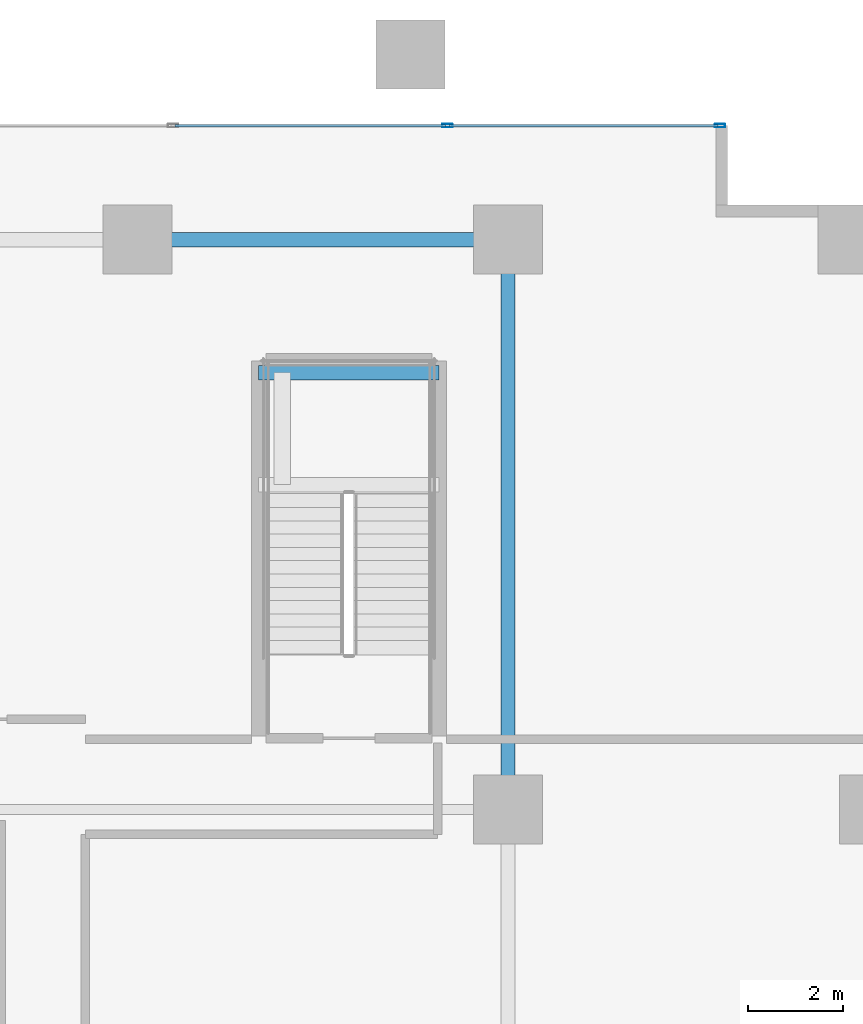
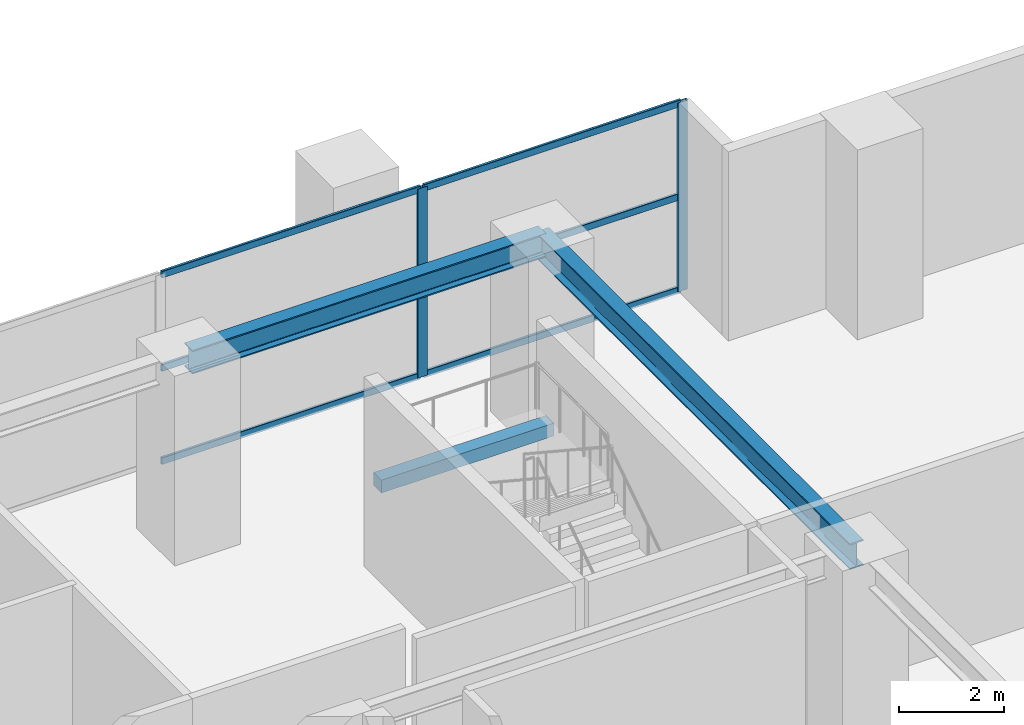
# One storey, part 11 of 20: 8 members, 3 beams, 1 element without a shape of its own.
"""IFC4 building model written with IfcOpenShell, lengths in metres."""

import ifcopenshell
import ifcopenshell.guid

model = None  # the IFC model being written
_history = None  # IfcOwnerHistory: only IFC2X3 demands one
_inside = {}  # id of a spatial element -> (the spatial element, [elements in it])
_under = {}  # id of a project, library or spatial element -> (it, [spatial elements below it])
_declared = {}  # id of a project -> (the project, [libraries it declares])
_typed = {}  # id of a type object -> (the type object, [elements of that type])
_made_of = {}  # id of a material, layer set ... -> (it, [elements and type objects made of it])


def new_model(schema):
    """Start an empty IFC model of exactly this schema.

    Asked for "IFC4X3", IfcOpenShell would pick the latest addendum, in which some entities
    have other attributes; the version numbers below select the first issue.
    IFC2X3 requires an IfcOwnerHistory on every rooted entity: one is made here for all.
    """
    global model, _history
    if schema == "IFC4X3":
        model = ifcopenshell.file(schema_version=(4, 3, 0, 0))
    else:
        model = ifcopenshell.file(schema=schema)
    _inside.clear()
    _under.clear()
    _declared.clear()
    _typed.clear()
    _made_of.clear()
    _history = None
    if model.schema == "IFC2X3":
        org = make("IfcOrganization", Name="unknown")
        user = make(
            "IfcPersonAndOrganization",
            ThePerson=make("IfcPerson", FamilyName="unknown"),
            TheOrganization=org,
        )
        app = make(
            "IfcApplication",
            ApplicationDeveloper=org,
            Version="unknown",
            ApplicationFullName="unknown",
            ApplicationIdentifier="unknown",
        )
        _history = make(
            "IfcOwnerHistory",
            OwningUser=user,
            OwningApplication=app,
            ChangeAction="ADDED",
            CreationDate=0,
        )
    return model


def make(cls, **values):
    """One entity of the class cls with the attributes given. An attribute that is None is left unset."""
    return model.create_entity(
        cls, **{name: value for name, value in values.items() if value is not None}
    )


def rooted(cls, **values):
    """An entity with a GlobalId (a new one), such as an element, a storey or a relation."""
    return make(cls, GlobalId=ifcopenshell.guid.new(), OwnerHistory=_history, **values)


def si_unit(unit_type, name, prefix=None):
    """IfcSIUnit, for example si_unit("LENGTHUNIT", "METRE", prefix="MILLI")."""
    return make("IfcSIUnit", UnitType=unit_type, Prefix=prefix, Name=name)


def assignment(units):
    """IfcUnitAssignment: the units of a project."""
    return None if units is None else make("IfcUnitAssignment", Units=units)


def point(xyz):
    """IfcCartesianPoint."""
    return None if xyz is None else make("IfcCartesianPoint", Coordinates=xyz)


def direction(xyz):
    """IfcDirection."""
    return None if xyz is None else make("IfcDirection", DirectionRatios=xyz)


def frame(location, z_axis=None, x_axis=None):
    """IfcAxis2Placement3D, a coordinate frame: its origin and axes. An axis left out is left unset."""
    return make(
        "IfcAxis2Placement3D",
        Location=point(location),
        Axis=direction(z_axis),
        RefDirection=direction(x_axis),
    )


def frame_2d(location, x_axis=None):
    """IfcAxis2Placement2D, a coordinate frame in the plane: its origin and x axis."""
    return make(
        "IfcAxis2Placement2D", Location=point(location), RefDirection=direction(x_axis)
    )


def origin():
    """The frame at (0, 0, 0) with its axes left unset."""
    return frame((0.0, 0.0, 0.0))


def origin_2d():
    """The frame at (0, 0) in the plane with its x axis left unset."""
    return frame_2d((0.0, 0.0))


def place(relative_to, where):
    """IfcLocalPlacement: puts the frame where relative to a parent placement (None: the world)."""
    return make(
        "IfcLocalPlacement", PlacementRelTo=relative_to, RelativePlacement=where
    )


def context(
    kind, dimensions, precision=None, world=None, true_north=None, identifier=None
):
    """IfcGeometricRepresentationContext, for example the 3D "Model" context."""
    return make(
        "IfcGeometricRepresentationContext",
        ContextIdentifier=identifier,
        ContextType=kind,
        CoordinateSpaceDimension=dimensions,
        Precision=precision,
        WorldCoordinateSystem=world,
        TrueNorth=true_north,
    )


def subcontext(parent, identifier, kind, view, scale=None):
    """IfcGeometricRepresentationSubContext, for example "Body" below "Model"."""
    return make(
        "IfcGeometricRepresentationSubContext",
        ContextIdentifier=identifier,
        ContextType=kind,
        ParentContext=parent,
        TargetScale=scale,
        TargetView=view,
    )


def project(units=None, contexts=None):
    """IfcProject with its units and contexts."""
    return rooted(
        "IfcProject",
        Name="project",
        RepresentationContexts=contexts,
        UnitsInContext=assignment(units),
    )


def spatial(cls, under=None, at=None, **own):
    """A site, building, storey or space (cls), placed at a placement, below another one or the project."""
    s = rooted(cls, ObjectPlacement=at, **own)
    if under is not None:
        _under.setdefault(under.id(), (under, []))[1].append(s)
    return s


def profile(cls, at=None, kind="AREA", **sizes):
    """A parametric profile (cls). Its sizes go by their IFC names, for example OverallWidth=200.0."""
    return make(cls, ProfileType=kind, Position=at, **sizes)


def rectangle(**sizes):
    """IfcRectangleProfileDef."""
    return profile("IfcRectangleProfileDef", **sizes)


def hollow_rectangle(**sizes):
    """IfcRectangleHollowProfileDef."""
    return profile("IfcRectangleHollowProfileDef", **sizes)


def i_section(**sizes):
    """IfcIShapeProfileDef."""
    return profile("IfcIShapeProfileDef", **sizes)


def extrude(swept, where, along, depth):
    """IfcExtrudedAreaSolid: the profile swept, set in the frame where, extruded along a direction by depth."""
    return make(
        "IfcExtrudedAreaSolid",
        SweptArea=swept,
        Position=where,
        ExtrudedDirection=direction(along),
        Depth=depth,
    )


def shape(context_of_items, identifier, shape_type, items):
    """IfcShapeRepresentation: the items that make up one representation, for example the "Body"."""
    return make(
        "IfcShapeRepresentation",
        ContextOfItems=context_of_items,
        RepresentationIdentifier=identifier,
        RepresentationType=shape_type,
        Items=items,
    )


def source(mapping_origin, context_of_items, identifier, shape_type, items):
    """IfcRepresentationMap: a shape defined once, which mapped items show again and again."""
    return make(
        "IfcRepresentationMap",
        MappingOrigin=mapping_origin,
        MappedRepresentation=shape(context_of_items, identifier, shape_type, items),
    )


def transform(
    local_origin,
    x_axis=None,
    y_axis=None,
    z_axis=None,
    scale=None,
    scale2=None,
    scale3=None,
    uniform=True,
):
    """IfcCartesianTransformationOperator3D, or its non-uniform kind. x_axis, y_axis, z_axis: its Axis1, 2, 3."""
    if uniform:
        return make(
            "IfcCartesianTransformationOperator3D",
            Axis1=direction(x_axis),
            Axis2=direction(y_axis),
            LocalOrigin=point(local_origin),
            Scale=scale,
            Axis3=direction(z_axis),
        )
    return make(
        "IfcCartesianTransformationOperator3DnonUniform",
        Axis1=direction(x_axis),
        Axis2=direction(y_axis),
        LocalOrigin=point(local_origin),
        Scale=scale,
        Axis3=direction(z_axis),
        Scale2=scale2,
        Scale3=scale3,
    )


def mapped(mapping_source, mapping_target):
    """IfcMappedItem: shows the shape of a source again, moved by a transform."""
    return make(
        "IfcMappedItem", MappingSource=mapping_source, MappingTarget=mapping_target
    )


def material(Name=None, Category=None):
    """IfcMaterial."""
    return make("IfcMaterial", Name=Name, Category=Category)


def layer(
    of_material, thickness, ventilated=None, Name=None, Category=None, Priority=None
):
    """IfcMaterialLayer: one layer of a wall or slab, of a material (None: an air gap)."""
    return make(
        "IfcMaterialLayer",
        Material=of_material,
        LayerThickness=thickness,
        IsVentilated=ventilated,
        Name=Name,
        Category=Category,
        Priority=Priority,
    )


def layer_set(layers, Name=None):
    """IfcMaterialLayerSet."""
    return make("IfcMaterialLayerSet", MaterialLayers=layers, LayerSetName=Name)


def material_profile(
    of_material, cross_section, Name=None, Category=None, Priority=None
):
    """IfcMaterialProfile: a cross section and its material."""
    return make(
        "IfcMaterialProfile",
        Name=Name,
        Material=of_material,
        Profile=cross_section,
        Priority=Priority,
        Category=Category,
    )


def profile_set(profiles, Name=None, composite=None):
    """IfcMaterialProfileSet."""
    return make(
        "IfcMaterialProfileSet",
        Name=Name,
        MaterialProfiles=profiles,
        CompositeProfile=composite,
    )


def made_of(thing, what):
    """Note that an element or type object is made of a material, layer set ...; save() writes the relation."""
    if what is not None:
        _made_of.setdefault(what.id(), (what, []))[1].append(thing)
    return thing


def type_object(cls, material=None, **own):
    """A type object (cls), such as IfcWallType, which elements share."""
    return made_of(rooted(cls, **own), material)


def element(
    cls,
    number,
    at=None,
    inside=None,
    cuts=None,
    type_object=None,
    material=None,
    context=None,
    identifier="Body",
    shape_type=None,
    held_by="IfcProductDefinitionShape",
    body=None,
    shapes=None,
    **own,
):
    """One element of the class cls, such as IfcWall. Its Tag is "e" and its number.

    at: its placement. inside: the storey or other place that contains it. cuts: it is an
    opening in that element (IfcRelVoidsElement). A single representation is given by context,
    identifier, shape_type and body (its items); several are given by shapes. held_by: the class
    of the entity that holds the representations. save() writes the other relations.
    """
    e = rooted(cls, Tag="e%d" % number, ObjectPlacement=at, **own)
    if body is not None:
        shapes = [shape(context, identifier, shape_type, body)]
    if shapes is not None:
        e.Representation = make(held_by, Representations=shapes)
    if inside is not None:
        _inside.setdefault(inside.id(), (inside, []))[1].append(e)
    if cuts is not None:
        rooted(
            "IfcRelVoidsElement", RelatingBuildingElement=cuts, RelatedOpeningElement=e
        )
    if type_object is not None:
        _typed.setdefault(type_object.id(), (type_object, []))[1].append(e)
    return made_of(e, material)


def aggregate(whole, parts):
    """IfcRelAggregates: a whole, such as a stair, and the parts it consists of."""
    return rooted("IfcRelAggregates", RelatingObject=whole, RelatedObjects=parts)


def save(model, path):
    """Write the relations noted so far, then the file.

    IfcRelAggregates (storeys below a building ...), IfcRelContainedInSpatialStructure (elements
    in a storey), IfcRelDefinesByType, IfcRelAssociatesMaterial and IfcRelDeclares: one each for
    every whole, place, type object, material and project.
    """
    for whole, parts in _under.values():
        aggregate(whole, parts)
    for where, things in _inside.values():
        rooted(
            "IfcRelContainedInSpatialStructure",
            RelatedElements=things,
            RelatingStructure=where,
        )
    for kind, things in _typed.values():
        rooted("IfcRelDefinesByType", RelatedObjects=things, RelatingType=kind)
    for what, things in _made_of.values():
        rooted("IfcRelAssociatesMaterial", RelatedObjects=things, RelatingMaterial=what)
    for by, libraries in _declared.values():
        rooted("IfcRelDeclares", RelatingContext=by, RelatedDefinitions=libraries)
    model.write(path)


model = new_model("IFC4")

# Units and contexts
model_context = context("Model", 3, precision=1e-05, world=origin(), true_north=direction((0.0, 1.0)))
body_context = subcontext(model_context, "Body", "Model", "MODEL_VIEW")
ifc_project = project(units=[si_unit("LENGTHUNIT", "METRE"), si_unit("AREAUNIT", "SQUARE_METRE"), si_unit("VOLUMEUNIT", "CUBIC_METRE"), si_unit("PLANEANGLEUNIT", "RADIAN"), si_unit("MASSUNIT", "GRAM", prefix="KILO")], contexts=[model_context])

# Site, building, storey
site_placement = place(None, origin())
site = spatial("IfcSite", under=ifc_project, at=site_placement, CompositionType="ELEMENT")
building_placement = place(site_placement, origin())
building = spatial("IfcBuilding", under=site, at=building_placement, Name="Serunith Strait Residences", CompositionType="ELEMENT")
storey_placement = place(building_placement, frame((0.0, 0.0, 10.5)))
storey = spatial("IfcBuildingStorey", under=building, at=storey_placement, Name="L02", CompositionType="ELEMENT", Elevation=10.5)

# Beams
ifc_material_1 = material(Name="Steel S355J2", Category="steel")
ifc_material_profile_1 = material_profile(ifc_material_1, i_section(OverallWidth=0.300048828125, OverallDepth=0.550048828125, WebThickness=0.014892578125, FlangeThickness=0.029052734375, FilletRadius=0.027099609375, at=origin_2d()), Name="HEB 550")
ifc_profile_set_1 = profile_set([ifc_material_profile_1], Name="Steel S355J2")
beam_type_1 = type_object("IfcBeamType", Name="BM-HEB550", PredefinedType="BEAM", material=ifc_profile_set_1)
shared_shape_1 = source(origin(), body_context, "Body", "SweptSolid", [
    extrude(i_section(OverallWidth=0.300048828125, OverallDepth=0.550048828125, WebThickness=0.014892578125, FlangeThickness=0.029052734375, FilletRadius=0.027099609375, at=origin_2d()), origin(), (0.0, 0.0, 1.0), 7.800048828125),
])
beam_1_placement = place(storey_placement, frame((44.39990234375, 45.60009765625, 4.14208984375), z_axis=(1.0, 0.0, 0.0), x_axis=(0.0, 1.0, 0.0)))
element("IfcBeam", 1, at=beam_1_placement, inside=storey, type_object=beam_type_1, Name="BM-L02-10", PredefinedType="BEAM", context=body_context, shape_type="MappedRepresentation", body=[
    mapped(shared_shape_1, transform((0.0, 0.0, 0.0), scale=1.0)),
])
ifc_material_profile_2 = material_profile(ifc_material_1, i_section(OverallWidth=0.300048828125, OverallDepth=0.60009765625, WebThickness=0.015380859375, FlangeThickness=0.030029296875, FilletRadius=0.027099609375, at=origin_2d()), Name="HEB 600")
ifc_profile_set_2 = profile_set([ifc_material_profile_2], Name="Steel S355J2")
beam_type_2 = type_object("IfcBeamType", Name="BM-HEB600", PredefinedType="BEAM", material=ifc_profile_set_2)
shared_shape_2 = source(origin(), body_context, "Body", "SweptSolid", [
    extrude(i_section(OverallWidth=0.300048828125, OverallDepth=0.60009765625, WebThickness=0.015380859375, FlangeThickness=0.030029296875, FilletRadius=0.027099609375, at=origin_2d()), origin(), (0.0, 0.0, 1.0), 12.0),
])
beam_2_placement = place(storey_placement, frame((52.199951171875, 33.60009765625, 4.116943359375), z_axis=(0.0, 1.0, 0.0), x_axis=(-1.0, 0.0, 0.0)))
element("IfcBeam", 2, at=beam_2_placement, inside=storey, type_object=beam_type_2, Name="BM-L02-18", PredefinedType="BEAM", context=body_context, shape_type="MappedRepresentation", body=[
    mapped(shared_shape_2, transform((0.0, 0.0, 0.0), scale=1.0)),
])
ifc_material_2 = material(Name="Concrete C60/75", Category="concrete")
ifc_material_profile_3 = material_profile(ifc_material_2, rectangle(XDim=0.300048828125, YDim=0.300048828125, at=origin_2d()), Name="RC 300x300")
ifc_profile_set_3 = profile_set([ifc_material_profile_3], Name="Concrete C60/75")
beam_type_3 = type_object("IfcBeamType", Name="BM-LAND-300x300", PredefinedType="BEAM", material=ifc_profile_set_3)
shared_shape_3 = source(origin(), body_context, "Body", "SweptSolid", [
    extrude(rectangle(XDim=0.300048828125, YDim=0.300048828125, at=origin_2d()), origin(), (0.0, 0.0, 1.0), 3.800048828125),
])
beam_3_placement = place(storey_placement, frame((46.949951171875, 42.800048828125, 2.050048828125), z_axis=(1.0, 0.0, 0.0), x_axis=(0.0, 1.0, 0.0)))
element("IfcBeam", 3, at=beam_3_placement, inside=storey, type_object=beam_type_3, Name="L02 ST-4 Landing Support Beam 2", PredefinedType="BEAM", context=body_context, shape_type="MappedRepresentation", body=[
    mapped(shared_shape_3, transform((0.0, 0.0, 0.0), scale=1.0)),
])

# Curtain wall, members
ifc_material_3 = material(Name="Pale-Champagne Anodised Aluminium", Category="aluminium")
ifc_layer = layer(ifc_material_3, 0.199951171875, Name="Pale-Champagne Anodised Aluminium")
ifc_layer_set = layer_set([ifc_layer], Name="Pale-Champagne Anodised Aluminium")
curtain_wall_type = type_object("IfcCurtainWallType", Name="CW-SYS6", PredefinedType="NOTDEFINED", material=ifc_layer_set)
curtain_wall_placement = place(storey_placement, origin())
curtain_wall = element("IfcCurtainWall", 4, at=curtain_wall_placement, inside=storey, type_object=curtain_wall_type, Name="L02 Podium Galleria Curtain Wall 9A", PredefinedType="NOTDEFINED")
ifc_material_profile_4 = material_profile(ifc_material_3, hollow_rectangle(XDim=0.06005859375, YDim=0.159912109375, WallThickness=0.00341796875, InnerFilletRadius=0.00537109375, OuterFilletRadius=0.0087890625, at=origin_2d()), Name="ALU 160x60x3.5")
ifc_profile_set_4 = profile_set([ifc_material_profile_4], Name="Pale-Champagne Anodised Aluminium")
member_type_1 = type_object("IfcMemberType", Name="CW-SYS6-TRAN", PredefinedType="USERDEFINED", material=ifc_profile_set_4)
shared_shape_4 = source(origin(), body_context, "Body", "SweptSolid", [
    extrude(hollow_rectangle(XDim=0.06005859375, YDim=0.159912109375, WallThickness=0.00341796875, InnerFilletRadius=0.00537109375, OuterFilletRadius=0.0087890625, at=origin_2d()), origin(), (0.0, 0.0, 1.0), 5.66259765625),
])
member_1_placement = place(storey_placement, frame((56.625, 48.0, 0.030029296875), z_axis=(-1.0, 0.0, 0.0), x_axis=(0.0, -1.0, 0.0)))
member_1 = element("IfcMember", 5, at=member_1_placement, type_object=member_type_1, Name="CW-6 transom 1.1", ObjectType="TRANSOM", PredefinedType="USERDEFINED", context=body_context, shape_type="MappedRepresentation", body=[
    mapped(shared_shape_4, transform((0.0, 0.0, 0.0), scale=1.0)),
])
member_2_placement = place(storey_placement, frame((56.625, 48.0, 2.202392578125), z_axis=(-1.0, 0.0, 0.0), x_axis=(0.0, -1.0, 0.0)))
member_2 = element("IfcMember", 6, at=member_2_placement, type_object=member_type_1, Name="CW-6 transom 1.2", ObjectType="TRANSOM", PredefinedType="USERDEFINED", context=body_context, shape_type="MappedRepresentation", body=[
    mapped(shared_shape_4, transform((0.0, 0.0, 0.0), scale=1.0)),
])
member_3_placement = place(storey_placement, frame((56.625, 48.0, 4.375), z_axis=(-1.0, 0.0, 0.0), x_axis=(0.0, -1.0, 0.0)))
member_3 = element("IfcMember", 7, at=member_3_placement, type_object=member_type_1, Name="CW-6 transom 1.3", ObjectType="TRANSOM", PredefinedType="USERDEFINED", context=body_context, shape_type="MappedRepresentation", body=[
    mapped(shared_shape_4, transform((0.0, 0.0, 0.0), scale=1.0)),
])
shared_shape_5 = source(origin(), body_context, "Body", "SweptSolid", [
    extrude(hollow_rectangle(XDim=0.06005859375, YDim=0.159912109375, WallThickness=0.00341796875, InnerFilletRadius=0.00537109375, OuterFilletRadius=0.0087890625, at=origin_2d()), origin(), (0.0, 0.0, 1.0), 5.699951171875),
])
member_4_placement = place(storey_placement, frame((50.887451171875, 48.0, 0.030029296875), z_axis=(-1.0, 0.0, 0.0), x_axis=(0.0, -1.0, 0.0)))
member_4 = element("IfcMember", 8, at=member_4_placement, type_object=member_type_1, Name="CW-6 transom 2.1", ObjectType="TRANSOM", PredefinedType="USERDEFINED", context=body_context, shape_type="MappedRepresentation", body=[
    mapped(shared_shape_5, transform((0.0, 0.0, 0.0), scale=1.0)),
])
member_5_placement = place(storey_placement, frame((50.887451171875, 48.0, 2.202392578125), z_axis=(-1.0, 0.0, 0.0), x_axis=(0.0, -1.0, 0.0)))
member_5 = element("IfcMember", 9, at=member_5_placement, type_object=member_type_1, Name="CW-6 transom 2.2", ObjectType="TRANSOM", PredefinedType="USERDEFINED", context=body_context, shape_type="MappedRepresentation", body=[
    mapped(shared_shape_5, transform((0.0, 0.0, 0.0), scale=1.0)),
])
member_6_placement = place(storey_placement, frame((50.887451171875, 48.0, 4.375), z_axis=(-1.0, 0.0, 0.0), x_axis=(0.0, -1.0, 0.0)))
member_6 = element("IfcMember", 10, at=member_6_placement, type_object=member_type_1, Name="CW-6 transom 2.3", ObjectType="TRANSOM", PredefinedType="USERDEFINED", context=body_context, shape_type="MappedRepresentation", body=[
    mapped(shared_shape_5, transform((0.0, 0.0, 0.0), scale=1.0)),
])
ifc_material_profile_5 = material_profile(ifc_material_3, hollow_rectangle(XDim=0.074951171875, YDim=0.219970703125, WallThickness=0.00390625, InnerFilletRadius=0.006103515625, OuterFilletRadius=0.010009765625, at=origin_2d()), Name="ALU 220x75x4")
ifc_profile_set_5 = profile_set([ifc_material_profile_5], Name="Pale-Champagne Anodised Aluminium")
member_type_2 = type_object("IfcMemberType", Name="CW-SYS6-MULL", PredefinedType="MULLION", material=ifc_profile_set_5)
shared_shape_6 = source(origin(), body_context, "Body", "SweptSolid", [
    extrude(hollow_rectangle(XDim=0.074951171875, YDim=0.219970703125, WallThickness=0.00390625, InnerFilletRadius=0.006103515625, OuterFilletRadius=0.010009765625, at=origin_2d()), origin(), (0.0, 0.0, 1.0), 4.405029296875),
])
member_7_placement = place(storey_placement, frame((56.66259765625, 48.0, 0.0), z_axis=(0.0, 0.0, 1.0), x_axis=(0.0, -1.0, 0.0)))
member_7 = element("IfcMember", 11, at=member_7_placement, type_object=member_type_2, Name="CW-6 mullion 1", PredefinedType="MULLION", context=body_context, shape_type="MappedRepresentation", body=[
    mapped(shared_shape_6, transform((0.0, 0.0, 0.0), scale=1.0)),
])
member_8_placement = place(storey_placement, frame((50.925048828125, 48.0, 0.0), z_axis=(0.0, 0.0, 1.0), x_axis=(0.0, -1.0, 0.0)))
member_8 = element("IfcMember", 12, at=member_8_placement, type_object=member_type_2, Name="CW-6 mullion 2", PredefinedType="MULLION", context=body_context, shape_type="MappedRepresentation", body=[
    mapped(shared_shape_6, transform((0.0, 0.0, 0.0), scale=1.0)),
])
aggregate(curtain_wall, [member_7, member_8, member_1, member_2, member_3, member_4, member_5, member_6])

save(model, "model.ifc")
